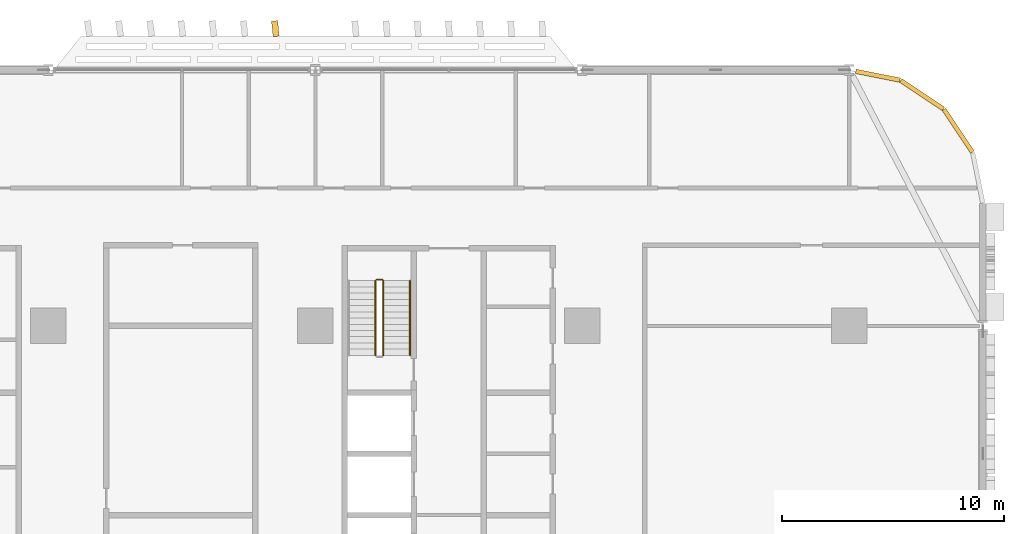
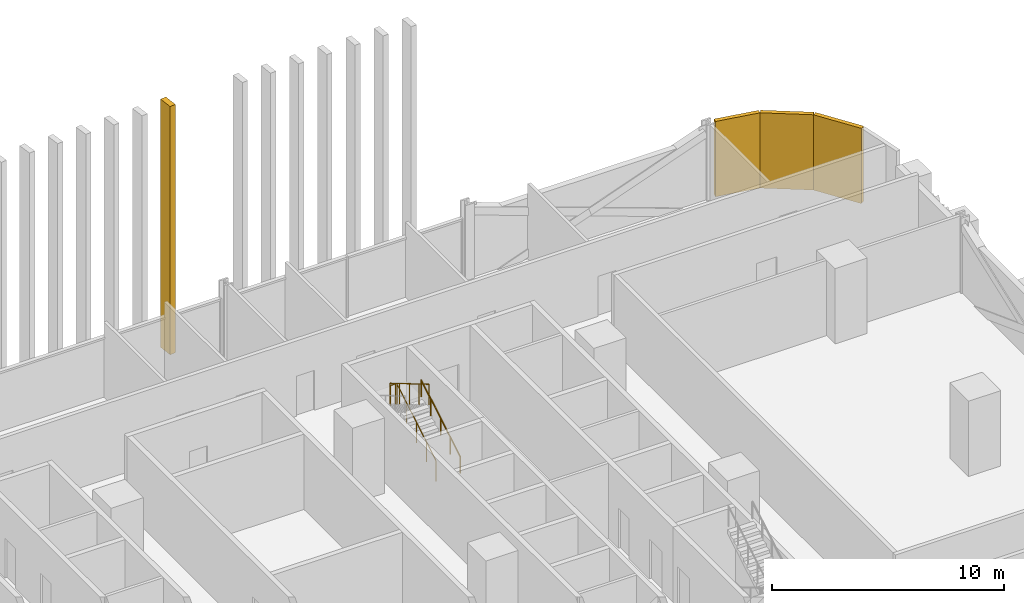
# One storey, part 28 of 29: 4 coverings, 4 railings.
"""IFC4 building model written with IfcOpenShell, lengths in metres."""

from ifc_helpers import new_model, si_unit, direction, frame, origin, origin_2d, place, context, subcontext, project, spatial, rectangle, circle, extrude, material, layer, layer_set, type_object, element, save


model = new_model("IFC4")

# Units and contexts
model_context = context("Model", 3, precision=1e-05, world=origin(), true_north=direction((0.0, 1.0)))
body_context = subcontext(model_context, "Body", "Model", "MODEL_VIEW")
ifc_project = project(units=[si_unit("LENGTHUNIT", "METRE"), si_unit("AREAUNIT", "SQUARE_METRE"), si_unit("VOLUMEUNIT", "CUBIC_METRE"), si_unit("PLANEANGLEUNIT", "RADIAN"), si_unit("MASSUNIT", "GRAM", prefix="KILO")], contexts=[model_context])

# Site, building, storey
site_placement = place(None, origin())
site = spatial("IfcSite", under=ifc_project, at=site_placement, CompositionType="ELEMENT")
building_placement = place(site_placement, origin())
building = spatial("IfcBuilding", under=site, at=building_placement, Name="Mahtab Terrace Research Tower", CompositionType="ELEMENT")
storey_placement = place(building_placement, frame((0.0, 0.0, 24.39990234375)))
storey = spatial("IfcBuildingStorey", under=building, at=storey_placement, Name="L05", CompositionType="ELEMENT", Elevation=24.39990234375)

# Coverings
ifc_material_1 = material(Name="Black aluminium cladding panel", Category="aluminium")
ifc_layer_1 = layer(ifc_material_1, 0.199951171875)
ifc_layer_set_1 = layer_set([ifc_layer_1], Name="Black metal corner cladding 200")
covering_type_1 = type_object("IfcCoveringType", Name="Black metal corner cladding 200", PredefinedType="CLADDING", material=ifc_layer_set_1)
for number, where, z_axis, x_axis, name in (
    (1, (46.89306640625, 20.26953125, 0.0), (0.0, 0.0, 1.0), (-0.555291490808, 0.831655794326, 0.0), "Corner cladding L05 0"),
    (2, (45.26953125, 21.89306640625, 0.0), (0.0, 0.0, 1.0), (-0.831655794326, 0.555291490808, 0.0), "Corner cladding L05 1"),
):
    element("IfcCovering", number, at=place(storey_placement, frame(where, z_axis=z_axis, x_axis=x_axis)), inside=storey, type_object=covering_type_1, Name=name, PredefinedType="CLADDING", context=body_context, shape_type="SweptSolid", body=[
        extrude(rectangle(XDim=2.30126953125, YDim=0.199951171875, at=origin_2d()), origin(), (0.0, 0.0, 1.0), 3.9599609375),
    ])
covering_1_placement = place(storey_placement, frame((43.28173828125, 22.744873046875, 0.0), z_axis=(0.0, 0.0, 1.0), x_axis=(-0.980760981187, 0.195212442692, 0.0)))
element("IfcCovering", 3, at=covering_1_placement, inside=storey, type_object=covering_type_1, Name="Corner cladding L05 2", PredefinedType="CLADDING", context=body_context, shape_type="SweptSolid", body=[
    extrude(rectangle(XDim=2.0283203125, YDim=0.199951171875, at=origin_2d()), origin(), (0.0, 0.0, 1.0), 3.9599609375),
])

# Railings
ifc_material_2 = material(Name="Stainless steel AISI 304", Category="steel")
railing_type_1 = type_object("IfcRailingType", Name="Stair guard 1100", PredefinedType="GUARDRAIL", material=ifc_material_2)
railing_1_placement = place(storey_placement, frame((21.050048828125, 10.175048828125, 0.16552734375)))
element("IfcRailing", 4, at=railing_1_placement, inside=storey, type_object=railing_type_1, Name="L05 ST3 stair guard 1", PredefinedType="GUARDRAIL", context=body_context, shape_type="SweptSolid", body=[
    extrude(circle(Radius=0.02392578125, at=origin_2d()), frame((0.0, 0.0, 1.076171875), z_axis=(0.0, 0.861011212953, 0.508585972249), x_axis=(-1.0, 0.0, 0.0)), (0.0, 0.0, 1.0), 3.90234375),
    extrude(circle(Radius=0.02099609375, at=origin_2d()), origin(), (0.0, 0.0, 1.0), 1.052001953125),
    extrude(circle(Radius=0.02099609375, at=origin_2d()), frame((0.0, 0.83984375, 0.49609375)), (0.0, 0.0, 1.0), 1.052001953125),
    extrude(circle(Radius=0.02099609375, at=origin_2d()), frame((0.0, 1.679931640625, 0.9921875)), (0.0, 0.0, 1.0), 1.052001953125),
    extrude(circle(Radius=0.02099609375, at=origin_2d()), frame((0.0, 2.52001953125, 1.488525390625)), (0.0, 0.0, 1.0), 1.052001953125),
    extrude(circle(Radius=0.02099609375, at=origin_2d()), frame((0.0, 3.35986328125, 1.984619140625)), (0.0, 0.0, 1.0), 1.052001953125),
])
railing_2_placement = place(storey_placement, frame((21.0, 13.5849609375, 2.150146484375)))
element("IfcRailing", 5, at=railing_2_placement, inside=storey, type_object=railing_type_1, Name="L05 ST3 stair guard 2", PredefinedType="GUARDRAIL", context=body_context, shape_type="SweptSolid", body=[
    extrude(circle(Radius=0.02392578125, at=origin_2d()), frame((0.0, 0.0, 1.076171875), z_axis=(-1.0, 0.0, 0.0), x_axis=(0.0, -1.0, 0.0)), (0.0, 0.0, 1.0), 0.25),
    extrude(circle(Radius=0.02099609375, at=origin_2d()), origin(), (0.0, 0.0, 1.0), 1.052001953125),
    extrude(circle(Radius=0.02099609375, at=origin_2d()), frame((-0.25, 0.0, 0.0)), (0.0, 0.0, 1.0), 1.052001953125),
])
railing_3_placement = place(storey_placement, frame((20.699951171875, 13.534912109375, 2.3154296875)))
element("IfcRailing", 6, at=railing_3_placement, inside=storey, type_object=railing_type_1, Name="L05 ST3 stair guard 3", PredefinedType="GUARDRAIL", context=body_context, shape_type="SweptSolid", body=[
    extrude(circle(Radius=0.02392578125, at=origin_2d()), frame((0.0, 0.0, 1.076171875), z_axis=(0.0, -0.861011212953, 0.508585972249), x_axis=(1.0, 0.0, 0.0)), (0.0, 0.0, 1.0), 3.90234375),
    extrude(circle(Radius=0.02099609375, at=origin_2d()), origin(), (0.0, 0.0, 1.0), 1.052001953125),
    extrude(circle(Radius=0.02099609375, at=origin_2d()), frame((0.0, -0.83984375, 0.49609375)), (0.0, 0.0, 1.0), 1.052001953125),
    extrude(circle(Radius=0.02099609375, at=origin_2d()), frame((0.0, -1.679931640625, 0.9921875)), (0.0, 0.0, 1.0), 1.052001953125),
    extrude(circle(Radius=0.02099609375, at=origin_2d()), frame((0.0, -2.52001953125, 1.488525390625)), (0.0, 0.0, 1.0), 1.052001953125),
    extrude(circle(Radius=0.02099609375, at=origin_2d()), frame((0.0, -3.35986328125, 1.984619140625)), (0.0, 0.0, 1.0), 1.052001953125),
])
railing_type_2 = type_object("IfcRailingType", Name="Stair handrail 900", PredefinedType="HANDRAIL", material=ifc_material_2)
railing_4_placement = place(storey_placement, frame((22.25, 10.175048828125, 0.16552734375)))
element("IfcRailing", 7, at=railing_4_placement, inside=storey, type_object=railing_type_2, Name="L05 ST3 stair handrail 1", PredefinedType="HANDRAIL", context=body_context, shape_type="SweptSolid", body=[
    extrude(circle(Radius=0.02392578125, at=origin_2d()), frame((0.0, 0.0, 0.8759765625), z_axis=(0.0, 0.861011212953, 0.508585972249), x_axis=(-1.0, 0.0, 0.0)), (0.0, 0.0, 1.0), 3.90234375),
    extrude(circle(Radius=0.02099609375, at=origin_2d()), origin(), (0.0, 0.0, 1.0), 0.851806640625),
    extrude(circle(Radius=0.02099609375, at=origin_2d()), frame((0.0, 0.83984375, 0.49609375)), (0.0, 0.0, 1.0), 0.851806640625),
    extrude(circle(Radius=0.02099609375, at=origin_2d()), frame((0.0, 1.679931640625, 0.9921875)), (0.0, 0.0, 1.0), 0.851806640625),
    extrude(circle(Radius=0.02099609375, at=origin_2d()), frame((0.0, 2.52001953125, 1.488525390625)), (0.0, 0.0, 1.0), 0.851806640625),
    extrude(circle(Radius=0.02099609375, at=origin_2d()), frame((0.0, 3.35986328125, 1.984619140625)), (0.0, 0.0, 1.0), 0.851806640625),
])

# Covering
ifc_material_3 = material(Name="Bronze anodised aluminium", Category="aluminium")
ifc_layer_2 = layer(ifc_material_3, 0.1201171875)
ifc_layer_set_2 = layer_set([ifc_layer_2], Name="Vertical fin 700")
covering_type_2 = type_object("IfcCoveringType", Name="Vertical fin 700", PredefinedType="CLADDING", material=ifc_layer_set_2)
covering_2_placement = place(storey_placement, frame((16.199951171875, 24.863037109375, -0.14990234375), z_axis=(0.0, 0.0, 1.0), x_axis=(-0.994258180634, -0.107007804585, 0.0)))
element("IfcCovering", 8, at=covering_2_placement, inside=storey, type_object=covering_type_2, Name="Fin L05 N1", PredefinedType="CLADDING", context=body_context, shape_type="SweptSolid", body=[
    extrude(rectangle(XDim=0.280029296875, YDim=0.699951171875, at=origin_2d()), origin(), (0.0, 0.0, 1.0), 13.050048828125),
])

save(model, "model.ifc")
